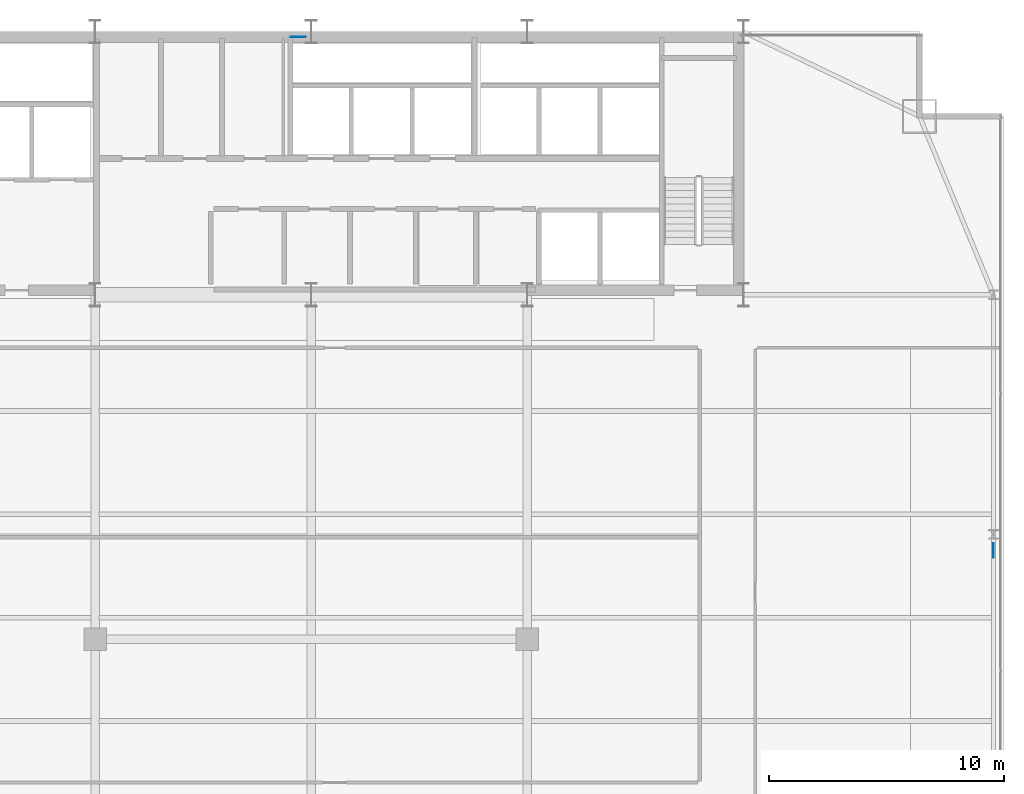
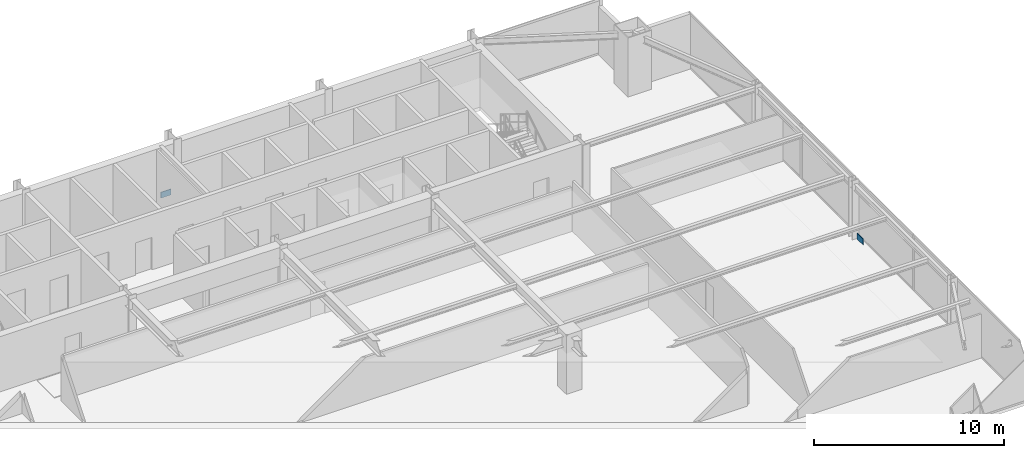
# One storey, part 29 of 34: 2 plates.
"""IFC4 building model written with IfcOpenShell, lengths in metres."""

from ifc_helpers import new_model, si_unit, direction, frame, origin, origin_2d, place, context, subcontext, project, spatial, rectangle, extrude, source, transform, mapped, material, layer, layer_set, type_object, type_shapes, element, save


model = new_model("IFC4")

# Units and contexts
model_context = context("Model", 3, precision=1e-05, world=origin(), true_north=direction((0.0, 1.0)))
body_context = subcontext(model_context, "Body", "Model", "MODEL_VIEW")
ifc_project = project(units=[si_unit("LENGTHUNIT", "METRE"), si_unit("AREAUNIT", "SQUARE_METRE"), si_unit("VOLUMEUNIT", "CUBIC_METRE"), si_unit("PLANEANGLEUNIT", "RADIAN"), si_unit("MASSUNIT", "GRAM", prefix="KILO")], contexts=[model_context])

# Site, building, storey
site_placement = place(None, origin())
site = spatial("IfcSite", under=ifc_project, at=site_placement, CompositionType="ELEMENT")
building_placement = place(site_placement, origin())
building = spatial("IfcBuilding", under=site, at=building_placement, Name="Varnel Quay Broadcast Tower", CompositionType="ELEMENT")
storey_placement = place(building_placement, frame((0.0, 0.0, 110.60009765625)))
storey = spatial("IfcBuildingStorey", under=building, at=storey_placement, Name="L26", CompositionType="ELEMENT", Elevation=110.60009765625)

# Plates
ifc_material = material(Name="Structural Steel CSA G40.21 350WT", Category="steel")
ifc_layer = layer(ifc_material, 0.031982421875, Name="Structural Steel CSA G40.21 350WT")
ifc_layer_set = layer_set([ifc_layer], Name="Structural Steel CSA G40.21 350WT")
plate_type = type_object("IfcPlateType", Name="Plate_EndCap", PredefinedType="USERDEFINED", material=ifc_layer_set)
shared_shape = source(origin(), body_context, "Body", "SweptSolid", [
    extrude(rectangle(XDim=0.6201171875, YDim=0.031982421875, at=origin_2d()), origin(), (0.0, 0.0, 1.0), 0.3798828125),
])
type_shapes(plate_type, [shared_shape])
for number, where, z_axis, x_axis, name in (
    (1, (33.447021484375, 46.580078125, 0.133056640625), (0.0, 0.0, 1.0), (1.0, 0.0, 0.0), "Zone 2 Mega-Brace N-CT2 Diag B2 End Connection Plate P0"),
    (2, (63.050048828125, 24.716064453125, 0.107666015625), (0.0, 0.0, 1.0), (0.0, 1.0, 0.0), "Zone 2 Mega-Brace E-FT2 Diag B2 End Connection Plate P0"),
):
    element("IfcPlate", number, at=place(storey_placement, frame(where, z_axis=z_axis, x_axis=x_axis)), inside=storey, type_object=plate_type, Name=name, ObjectType="CAP_PLATE", PredefinedType="USERDEFINED", context=body_context, shape_type="MappedRepresentation", body=[
        mapped(shared_shape, transform((0.0, 0.0, 0.0), x_axis=(1.0, 0.0, 0.0), y_axis=(0.0, 1.0, 0.0), z_axis=(0.0, 0.0, 1.0), scale=1.0)),
    ])

save(model, "model.ifc")
